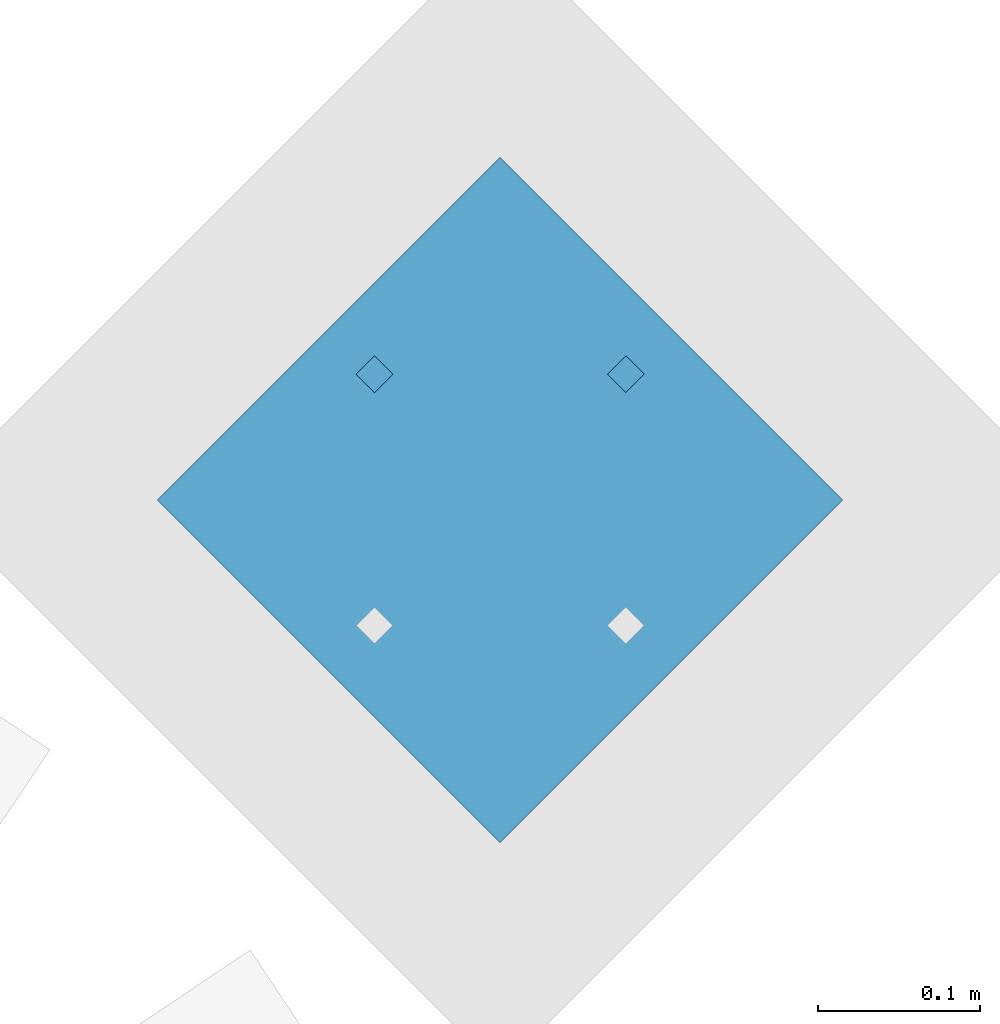
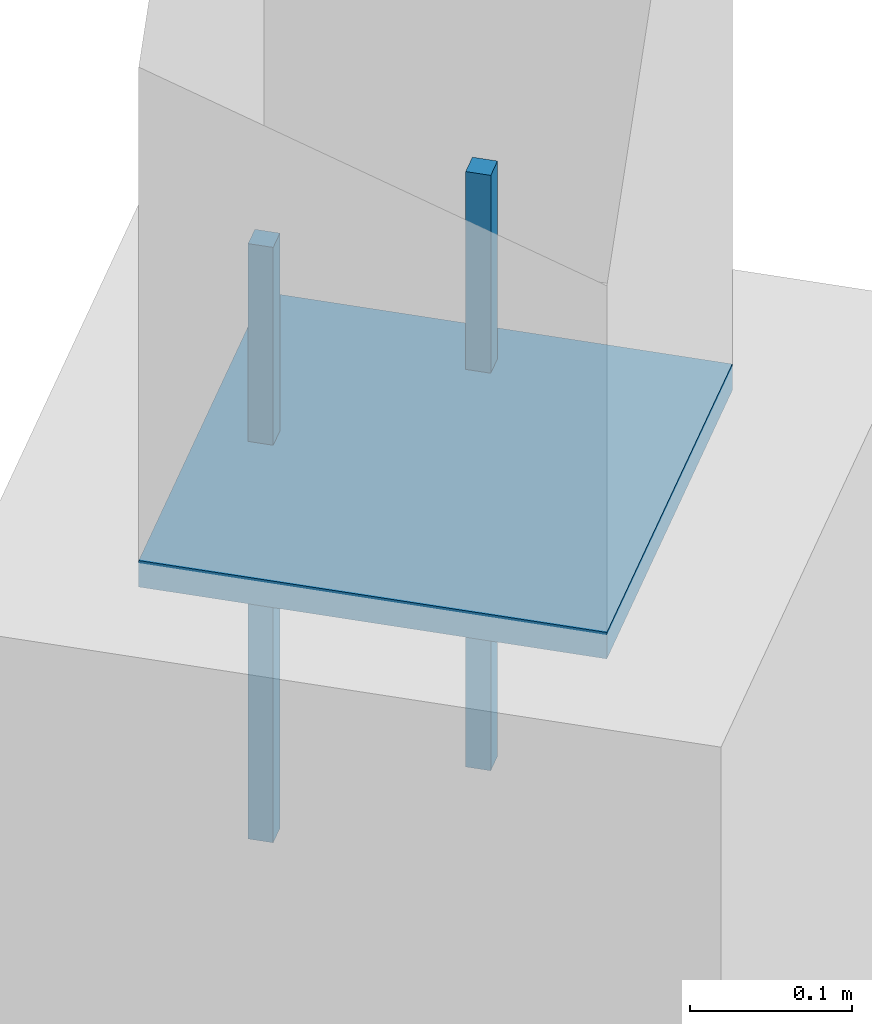
# One storey, part 270 of 278: 2 mechanical fasteners, 1 discrete accessory.
"""IFC4 building model written with IfcOpenShell, lengths in metres."""

from ifc_helpers import new_model, si_unit, direction, frame, origin, origin_2d, place, context, subcontext, project, spatial, rectangle, extrude, material, layer, layer_set, type_object, element, save


model = new_model("IFC4")

# Units and contexts
model_context = context("Model", 3, precision=1e-05, world=origin(), true_north=direction((0.0, 1.0)))
body_context = subcontext(model_context, "Body", "Model", "MODEL_VIEW")
ifc_project = project(units=[si_unit("LENGTHUNIT", "METRE"), si_unit("AREAUNIT", "SQUARE_METRE"), si_unit("VOLUMEUNIT", "CUBIC_METRE"), si_unit("PLANEANGLEUNIT", "RADIAN"), si_unit("MASSUNIT", "GRAM", prefix="KILO")], contexts=[model_context])

# Site, building, storey
site_placement = place(None, origin())
site = spatial("IfcSite", under=ifc_project, at=site_placement, CompositionType="ELEMENT")
building_placement = place(site_placement, origin())
building = spatial("IfcBuilding", under=site, at=building_placement, Name="Ogive Plaza Stadium", CompositionType="ELEMENT")
storey_placement = place(building_placement, frame((0.0, 0.0, 29.0)))
storey = spatial("IfcBuildingStorey", under=building, at=storey_placement, Name="Roof", CompositionType="ELEMENT", Elevation=29.0)

# Mechanical fasteners
ifc_material_1 = material(Name="Steel ASTM A992 Grade 50", Category="steel")
mechanical_fastener_type = type_object("IfcMechanicalFastenerType", Name="Spire anchor bolt M16 x 450", PredefinedType="ANCHORBOLT", material=ifc_material_1)
for number, where, z_axis, x_axis, name in (
    (1, (70.069580078125, 88.569580078125, 6.7001953125), (0.0, 0.0, 1.0), (0.707106781187, 0.707106781187, 0.0), "SPIRE ANCHOR BOLT 39 1"),
    (2, (69.9140625, 88.569580078125, 6.7001953125), (0.0, 0.0, 1.0), (0.707106781187, 0.707106781187, 0.0), "SPIRE ANCHOR BOLT 39 3"),
):
    element("IfcMechanicalFastener", number, at=place(storey_placement, frame(where, z_axis=z_axis, x_axis=x_axis)), inside=storey, type_object=mechanical_fastener_type, Name=name, PredefinedType="ANCHORBOLT", context=body_context, shape_type="SweptSolid", body=[
        extrude(rectangle(XDim=0.01611328125, YDim=0.01611328125, at=origin_2d()), origin(), (0.0, 0.0, 1.0), 0.449951171875),
    ])

# Discrete accessory
ifc_material_2 = material(Name="Steel ASTM A992 Grade 50", Category="steel")
ifc_layer = layer(ifc_material_2, 0.02001953125)
ifc_layer_set = layer_set([ifc_layer], Name="Steel ASTM A992 Grade 50")
discrete_accessory_type = type_object("IfcDiscreteAccessoryType", Name="Spire seat plate 20", PredefinedType="ANCHORPLATE", material=ifc_layer_set)
discrete_accessory_placement = place(storey_placement, frame((69.99169921875, 88.49169921875, 6.98095703125), z_axis=(0.0, 0.0, 1.0), x_axis=(0.707106781187, 0.707106781187, 0.0)))
element("IfcDiscreteAccessory", 3, at=discrete_accessory_placement, inside=storey, type_object=discrete_accessory_type, Name="SPIRE SEAT PLATE 39", PredefinedType="ANCHORPLATE", context=body_context, shape_type="SweptSolid", body=[
    extrude(rectangle(XDim=0.300048828125, YDim=0.300048828125, at=origin_2d()), origin(), (0.0, 0.0, 1.0), 0.02001953125),
])

save(model, "model.ifc")
